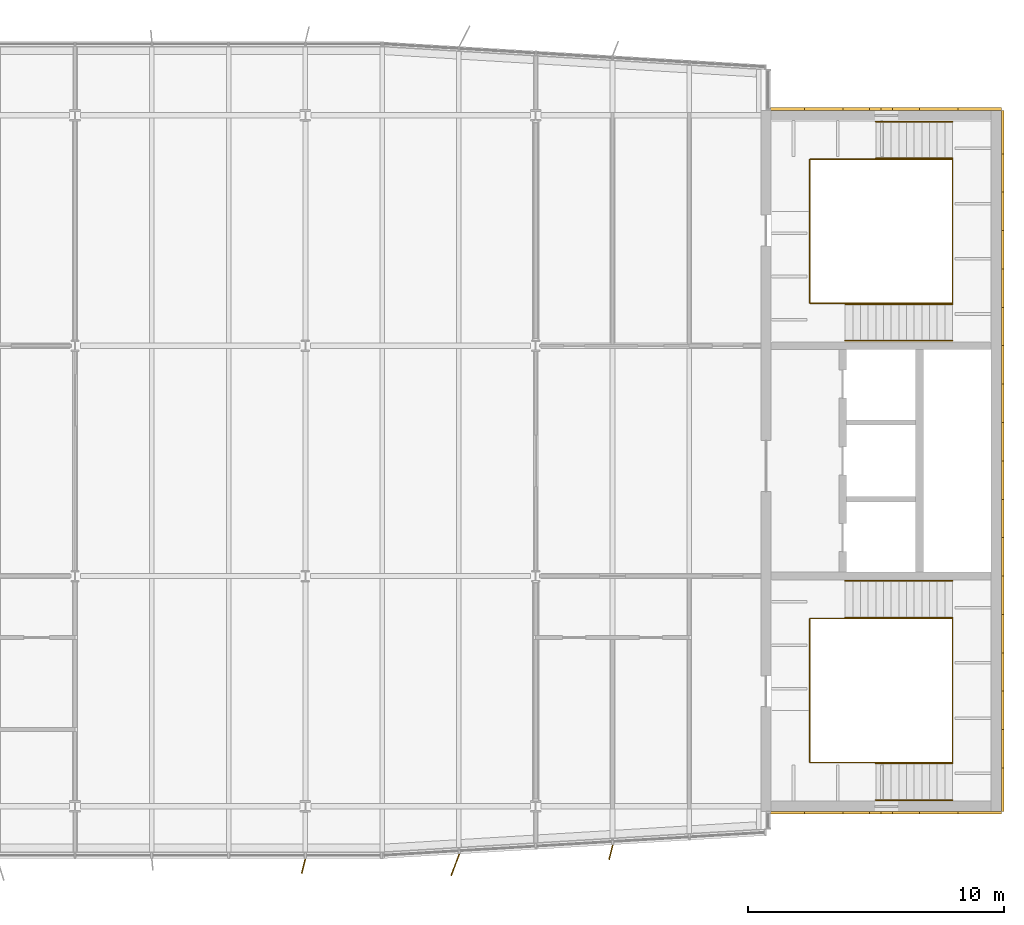
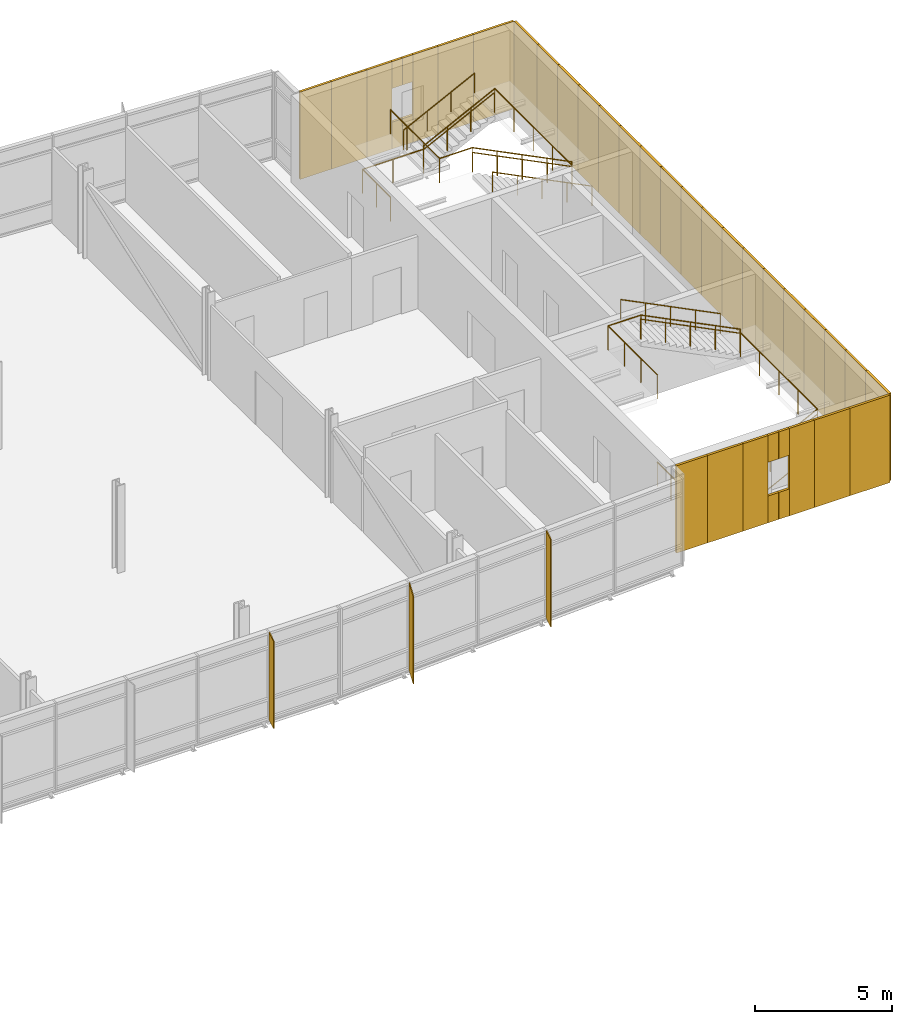
# One storey, part 19 of 20: 38 coverings, 10 railings, 3 shading devices.
"""IFC4 building model written with IfcOpenShell, lengths in metres."""

from ifc_helpers import new_model, si_unit, direction, frame, origin, origin_2d, place, context, subcontext, project, spatial, rectangle, circle, extrude, material, layer, layer_set, type_object, element, save


model = new_model("IFC4")

# Units and contexts
model_context = context("Model", 3, precision=1e-05, world=origin(), true_north=direction((0.0, 1.0)))
body_context = subcontext(model_context, "Body", "Model", "MODEL_VIEW")
ifc_project = project(units=[si_unit("LENGTHUNIT", "METRE"), si_unit("AREAUNIT", "SQUARE_METRE"), si_unit("VOLUMEUNIT", "CUBIC_METRE"), si_unit("PLANEANGLEUNIT", "RADIAN"), si_unit("MASSUNIT", "GRAM", prefix="KILO")], contexts=[model_context])

# Site, building, storey
site_placement = place(None, origin())
site = spatial("IfcSite", under=ifc_project, at=site_placement, CompositionType="ELEMENT")
building_placement = place(site_placement, origin())
building = spatial("IfcBuilding", under=site, at=building_placement, Name="Azimuth Sports and Learning Centre", CompositionType="ELEMENT")
storey_placement = place(building_placement, frame((0.0, 0.0, 44.10009765625)))
storey = spatial("IfcBuildingStorey", under=building, at=storey_placement, Name="L09", CompositionType="ELEMENT", Elevation=44.10009765625)

# Coverings
ifc_material_1 = material(Name="Cladding panel")
ifc_layer_1 = layer(ifc_material_1, 0.10009765625)
ifc_layer_set_1 = layer_set([ifc_layer_1], Name="Cladding panel")
covering_type = type_object("IfcCoveringType", Name="Cladding panel 100", PredefinedType="CLADDING", material=ifc_layer_set_1)
covering_1_placement = place(storey_placement, frame((108.840087890625, 89.75, 0.0), z_axis=(0.0, 0.0, 1.0), x_axis=(1.0, 0.0, 0.0)))
element("IfcCovering", 1, at=covering_1_placement, inside=storey, type_object=covering_type, Name="Cladding panel S-CORE E L09 1", PredefinedType="CLADDING", context=body_context, shape_type="SweptSolid", body=[
    extrude(rectangle(XDim=1.320068359375, YDim=0.10009765625, at=origin_2d()), origin(), (0.0, 0.0, 1.0), 3.89990234375),
])
covering_2_placement = place(storey_placement, frame((110.25, 89.75, 0.0), z_axis=(0.0, 0.0, 1.0), x_axis=(1.0, 0.0, 0.0)))
element("IfcCovering", 2, at=covering_2_placement, inside=storey, type_object=covering_type, Name="Cladding panel S-CORE E L09 2", PredefinedType="CLADDING", context=body_context, shape_type="SweptSolid", body=[
    extrude(rectangle(XDim=1.5, YDim=0.10009765625, at=origin_2d()), origin(), (0.0, 0.0, 1.0), 3.89990234375),
])
covering_3_placement = place(storey_placement, frame((111.52490234375, 89.75, 0.0), z_axis=(0.0, 0.0, 1.0), x_axis=(1.0, 0.0, 0.0)))
element("IfcCovering", 3, at=covering_3_placement, inside=storey, type_object=covering_type, Name="Cladding panel S-CORE E L09 3", PredefinedType="CLADDING", context=body_context, shape_type="SweptSolid", body=[
    extrude(rectangle(XDim=1.050048828125, YDim=0.10009765625, at=origin_2d()), origin(), (0.0, 0.0, 1.0), 3.89990234375),
])
for number, where, z_axis, x_axis, name in (
    (4, (112.27490234375, 89.75, 0.0), (0.0, 0.0, 1.0), (1.0, 0.0, 0.0), "Cladding panel S-CORE E L09 4"),
    (5, (112.27490234375, 89.75, 2.69970703125), (0.0, 0.0, 1.0), (1.0, 0.0, 0.0), "Cladding panel S-CORE E L09 5"),
):
    element("IfcCovering", number, at=place(storey_placement, frame(where, z_axis=z_axis, x_axis=x_axis)), inside=storey, type_object=covering_type, Name=name, PredefinedType="CLADDING", context=body_context, shape_type="SweptSolid", body=[
        extrude(rectangle(XDim=0.449951171875, YDim=0.10009765625, at=origin_2d()), origin(), (0.0, 0.0, 1.0), 1.199951171875),
    ])
covering_4_placement = place(storey_placement, frame((113.47509765625, 89.75, 0.0), z_axis=(0.0, 0.0, 1.0), x_axis=(1.0, 0.0, 0.0)))
element("IfcCovering", 6, at=covering_4_placement, inside=storey, type_object=covering_type, Name="Cladding panel S-CORE E L09 6", PredefinedType="CLADDING", context=body_context, shape_type="SweptSolid", body=[
    extrude(rectangle(XDim=1.050048828125, YDim=0.10009765625, at=origin_2d()), origin(), (0.0, 0.0, 1.0), 3.89990234375),
])
for number, where, z_axis, x_axis, name in (
    (7, (112.72509765625, 89.75, 0.0), (0.0, 0.0, 1.0), (1.0, 0.0, 0.0), "Cladding panel S-CORE E L09 7"),
    (8, (112.72509765625, 89.75, 2.69970703125), (0.0, 0.0, 1.0), (1.0, 0.0, 0.0), "Cladding panel S-CORE E L09 8"),
):
    element("IfcCovering", number, at=place(storey_placement, frame(where, z_axis=z_axis, x_axis=x_axis)), inside=storey, type_object=covering_type, Name=name, PredefinedType="CLADDING", context=body_context, shape_type="SweptSolid", body=[
        extrude(rectangle(XDim=0.449951171875, YDim=0.10009765625, at=origin_2d()), origin(), (0.0, 0.0, 1.0), 1.199951171875),
    ])
covering_5_placement = place(storey_placement, frame((114.75, 89.75, 0.0), z_axis=(0.0, 0.0, 1.0), x_axis=(1.0, 0.0, 0.0)))
element("IfcCovering", 9, at=covering_5_placement, inside=storey, type_object=covering_type, Name="Cladding panel S-CORE E L09 9", PredefinedType="CLADDING", context=body_context, shape_type="SweptSolid", body=[
    extrude(rectangle(XDim=1.5, YDim=0.10009765625, at=origin_2d()), origin(), (0.0, 0.0, 1.0), 3.89990234375),
])
for number, where, z_axis, x_axis, name in (
    (10, (116.35009765625, 89.75, 0.0), (0.0, 0.0, 1.0), (1.0, 0.0, 0.0), "Cladding panel S-CORE E L09 10"),
    (11, (117.25, 90.64990234375, 0.0), (0.0, 0.0, 1.0), (0.0, 1.0, 0.0), "Cladding panel E-CORE E L09 1"),
):
    element("IfcCovering", number, at=place(storey_placement, frame(where, z_axis=z_axis, x_axis=x_axis)), inside=storey, type_object=covering_type, Name=name, PredefinedType="CLADDING", context=body_context, shape_type="SweptSolid", body=[
        extrude(rectangle(XDim=1.699951171875, YDim=0.10009765625, at=origin_2d()), origin(), (0.0, 0.0, 1.0), 3.89990234375),
    ])
for number, where, z_axis, x_axis, name in (
    (12, (117.25, 92.25, 0.0), (0.0, 0.0, 1.0), (0.0, 1.0, 0.0), "Cladding panel E-CORE E L09 2"),
    (13, (117.25, 93.75, 0.0), (0.0, 0.0, 1.0), (0.0, 1.0, 0.0), "Cladding panel E-CORE E L09 3"),
    (14, (117.25, 95.25, 0.0), (0.0, 0.0, 1.0), (0.0, 1.0, 0.0), "Cladding panel E-CORE E L09 4"),
    (15, (117.25, 96.75, 0.0), (0.0, 0.0, 1.0), (0.0, 1.0, 0.0), "Cladding panel E-CORE E L09 5"),
    (16, (117.25, 98.25, 0.0), (0.0, 0.0, 1.0), (0.0, 1.0, 0.0), "Cladding panel E-CORE E L09 6"),
    (17, (117.25, 99.75, 0.0), (0.0, 0.0, 1.0), (0.0, 1.0, 0.0), "Cladding panel E-CORE E L09 7"),
    (18, (117.25, 101.25, 0.0), (0.0, 0.0, 1.0), (0.0, 1.0, 0.0), "Cladding panel E-CORE E L09 8"),
    (19, (117.25, 102.75, 0.0), (0.0, 0.0, 1.0), (0.0, 1.0, 0.0), "Cladding panel E-CORE E L09 9"),
    (20, (117.25, 104.25, 0.0), (0.0, 0.0, 1.0), (0.0, 1.0, 0.0), "Cladding panel E-CORE E L09 10"),
    (21, (117.25, 105.75, 0.0), (0.0, 0.0, 1.0), (0.0, 1.0, 0.0), "Cladding panel E-CORE E L09 11"),
    (22, (117.25, 107.25, 0.0), (0.0, 0.0, 1.0), (0.0, 1.0, 0.0), "Cladding panel E-CORE E L09 12"),
    (23, (117.25, 108.75, 0.0), (0.0, 0.0, 1.0), (0.0, 1.0, 0.0), "Cladding panel E-CORE E L09 13"),
    (24, (117.25, 110.25, 0.0), (0.0, 0.0, 1.0), (0.0, 1.0, 0.0), "Cladding panel E-CORE E L09 14"),
    (25, (117.25, 111.75, 0.0), (0.0, 0.0, 1.0), (0.0, 1.0, 0.0), "Cladding panel E-CORE E L09 15"),
    (26, (117.25, 113.25, 0.0), (0.0, 0.0, 1.0), (0.0, 1.0, 0.0), "Cladding panel E-CORE E L09 16"),
    (27, (117.25, 114.75, 0.0), (0.0, 0.0, 1.0), (0.0, 1.0, 0.0), "Cladding panel E-CORE E L09 17"),
):
    element("IfcCovering", number, at=place(storey_placement, frame(where, z_axis=z_axis, x_axis=x_axis)), inside=storey, type_object=covering_type, Name=name, PredefinedType="CLADDING", context=body_context, shape_type="SweptSolid", body=[
        extrude(rectangle(XDim=1.5, YDim=0.10009765625, at=origin_2d()), origin(), (0.0, 0.0, 1.0), 3.89990234375),
    ])
for number, where, z_axis, x_axis, name in (
    (28, (117.25, 116.35009765625, 0.0), (0.0, 0.0, 1.0), (0.0, 1.0, 0.0), "Cladding panel E-CORE E L09 18"),
    (29, (116.35009765625, 117.25, 0.0), (0.0, 0.0, 1.0), (-1.0, 0.0, 0.0), "Cladding panel N-CORE E L09 1"),
):
    element("IfcCovering", number, at=place(storey_placement, frame(where, z_axis=z_axis, x_axis=x_axis)), inside=storey, type_object=covering_type, Name=name, PredefinedType="CLADDING", context=body_context, shape_type="SweptSolid", body=[
        extrude(rectangle(XDim=1.699951171875, YDim=0.10009765625, at=origin_2d()), origin(), (0.0, 0.0, 1.0), 3.89990234375),
    ])
covering_6_placement = place(storey_placement, frame((114.75, 117.25, 0.0), z_axis=(0.0, 0.0, 1.0), x_axis=(-1.0, 0.0, 0.0)))
element("IfcCovering", 30, at=covering_6_placement, inside=storey, type_object=covering_type, Name="Cladding panel N-CORE E L09 2", PredefinedType="CLADDING", context=body_context, shape_type="SweptSolid", body=[
    extrude(rectangle(XDim=1.5, YDim=0.10009765625, at=origin_2d()), origin(), (0.0, 0.0, 1.0), 3.89990234375),
])
covering_7_placement = place(storey_placement, frame((113.47509765625, 117.25, 0.0), z_axis=(0.0, 0.0, 1.0), x_axis=(-1.0, 0.0, 0.0)))
element("IfcCovering", 31, at=covering_7_placement, inside=storey, type_object=covering_type, Name="Cladding panel N-CORE E L09 3", PredefinedType="CLADDING", context=body_context, shape_type="SweptSolid", body=[
    extrude(rectangle(XDim=1.050048828125, YDim=0.10009765625, at=origin_2d()), origin(), (0.0, 0.0, 1.0), 3.89990234375),
])
for number, where, z_axis, x_axis, name in (
    (32, (112.72509765625, 117.25, 0.0), (0.0, 0.0, 1.0), (-1.0, 0.0, 0.0), "Cladding panel N-CORE E L09 4"),
    (33, (112.72509765625, 117.25, 2.69970703125), (0.0, 0.0, 1.0), (-1.0, 0.0, 0.0), "Cladding panel N-CORE E L09 5"),
):
    element("IfcCovering", number, at=place(storey_placement, frame(where, z_axis=z_axis, x_axis=x_axis)), inside=storey, type_object=covering_type, Name=name, PredefinedType="CLADDING", context=body_context, shape_type="SweptSolid", body=[
        extrude(rectangle(XDim=0.449951171875, YDim=0.10009765625, at=origin_2d()), origin(), (0.0, 0.0, 1.0), 1.199951171875),
    ])
covering_8_placement = place(storey_placement, frame((111.52490234375, 117.25, 0.0), z_axis=(0.0, 0.0, 1.0), x_axis=(-1.0, 0.0, 0.0)))
element("IfcCovering", 34, at=covering_8_placement, inside=storey, type_object=covering_type, Name="Cladding panel N-CORE E L09 6", PredefinedType="CLADDING", context=body_context, shape_type="SweptSolid", body=[
    extrude(rectangle(XDim=1.050048828125, YDim=0.10009765625, at=origin_2d()), origin(), (0.0, 0.0, 1.0), 3.89990234375),
])
for number, where, z_axis, x_axis, name in (
    (35, (112.27490234375, 117.25, 0.0), (0.0, 0.0, 1.0), (-1.0, 0.0, 0.0), "Cladding panel N-CORE E L09 7"),
    (36, (112.27490234375, 117.25, 2.69970703125), (0.0, 0.0, 1.0), (-1.0, 0.0, 0.0), "Cladding panel N-CORE E L09 8"),
):
    element("IfcCovering", number, at=place(storey_placement, frame(where, z_axis=z_axis, x_axis=x_axis)), inside=storey, type_object=covering_type, Name=name, PredefinedType="CLADDING", context=body_context, shape_type="SweptSolid", body=[
        extrude(rectangle(XDim=0.449951171875, YDim=0.10009765625, at=origin_2d()), origin(), (0.0, 0.0, 1.0), 1.199951171875),
    ])
covering_9_placement = place(storey_placement, frame((110.25, 117.25, 0.0), z_axis=(0.0, 0.0, 1.0), x_axis=(-1.0, 0.0, 0.0)))
element("IfcCovering", 37, at=covering_9_placement, inside=storey, type_object=covering_type, Name="Cladding panel N-CORE E L09 9", PredefinedType="CLADDING", context=body_context, shape_type="SweptSolid", body=[
    extrude(rectangle(XDim=1.5, YDim=0.10009765625, at=origin_2d()), origin(), (0.0, 0.0, 1.0), 3.89990234375),
])
covering_10_placement = place(storey_placement, frame((108.840087890625, 117.25, 0.0), z_axis=(0.0, 0.0, 1.0), x_axis=(-1.0, 0.0, 0.0)))
element("IfcCovering", 38, at=covering_10_placement, inside=storey, type_object=covering_type, Name="Cladding panel N-CORE E L09 10", PredefinedType="CLADDING", context=body_context, shape_type="SweptSolid", body=[
    extrude(rectangle(XDim=1.320068359375, YDim=0.10009765625, at=origin_2d()), origin(), (0.0, 0.0, 1.0), 3.89990234375),
])

# Shading devices
ifc_material_2 = material(Name="Aluminium", Category="aluminium")
ifc_layer_2 = layer(ifc_material_2, 0.0400390625)
ifc_layer_set_2 = layer_set([ifc_layer_2], Name="Aluminium")
shading_device_type_1 = type_object("IfcShadingDeviceType", Name="Shading fin 600", PredefinedType="JALOUSIE", material=ifc_layer_set_2)
for number, where, z_axis, x_axis, name in (
    (39, (89.927001953125, 87.6689453125, 0.0), (0.0, 0.0, 1.0), (-0.243730896369, -0.969842899729, 0.0), "Shading fin F09-005"),
    (40, (101.939697265625, 88.2099609375, 0.0), (0.0, 0.0, 1.0), (-0.24872137434, -0.968575076051, 0.0), "Shading fin F09-007"),
):
    element("IfcShadingDevice", number, at=place(storey_placement, frame(where, z_axis=z_axis, x_axis=x_axis)), inside=storey, type_object=shading_device_type_1, Name=name, PredefinedType="JALOUSIE", context=body_context, shape_type="SweptSolid", body=[
        extrude(rectangle(XDim=0.60009765625, YDim=0.0400390625, at=origin_2d()), origin(), (0.0, 0.0, 1.0), 3.89990234375),
    ])
ifc_material_3 = material(Name="Aluminium", Category="aluminium")
ifc_layer_3 = layer(ifc_material_3, 0.0400390625)
ifc_layer_set_3 = layer_set([ifc_layer_3], Name="Aluminium")
shading_device_type_2 = type_object("IfcShadingDeviceType", Name="Shading fin 900", PredefinedType="JALOUSIE", material=ifc_layer_set_3)
shading_device_placement = place(storey_placement, frame((95.857177734375, 87.71875, 0.0), z_axis=(0.0, 0.0, 1.0), x_axis=(-0.349143100646, -0.937069418598, 0.0)))
element("IfcShadingDevice", 41, at=shading_device_placement, inside=storey, type_object=shading_device_type_2, Name="Shading fin F09-006", PredefinedType="JALOUSIE", context=body_context, shape_type="SweptSolid", body=[
    extrude(rectangle(XDim=0.89990234375, YDim=0.0400390625, at=origin_2d()), origin(), (0.0, 0.0, 1.0), 3.89990234375),
])

# Railings
ifc_material_4 = material(Name="Stainless steel", Category="steel")
railing_type_1 = type_object("IfcRailingType", Name="Stair guard 1100", PredefinedType="GUARDRAIL", material=ifc_material_4)
railing_1_placement = place(storey_placement, frame((109.7099609375, 93.75, 0.0)))
element("IfcRailing", 42, at=railing_1_placement, inside=storey, type_object=railing_type_1, Name="Guard E1 L09 well", PredefinedType="GUARDRAIL", context=body_context, shape_type="SweptSolid", body=[
    extrude(circle(Radius=0.02392578125, at=origin_2d()), frame((0.0, 0.0, 1.076171875), z_axis=(0.0, -1.0, 0.0), x_axis=(1.0, 0.0, 0.0)), (0.0, 0.0, 1.0), 2.0400390625),
    extrude(circle(Radius=0.02392578125, at=origin_2d()), frame((0.0, -2.0400390625, 1.076171875), z_axis=(1.0, 0.0, 0.0), x_axis=(0.0, 1.0, 0.0)), (0.0, 0.0, 1.0), 2.580078125),
    extrude(circle(Radius=0.02392578125, at=origin_2d()), frame((2.580078125, -2.0400390625, 1.076171875), z_axis=(0.0, 0.0, 1.0), x_axis=(1.0, 0.0, 0.0)), (0.0, 0.0, 1.0), 0.14990234375),
    extrude(circle(Radius=0.02392578125, at=origin_2d()), frame((2.580078125, -2.0400390625, 1.22607421875), z_axis=(0.894427191, 0.0, 0.4472135955), x_axis=(0.0, 1.0, 0.0)), (0.0, 0.0, 1.0), 3.35400390625),
    extrude(circle(Radius=0.02392578125, at=origin_2d()), frame((5.580078125, -2.0400390625, 2.72607421875), z_axis=(0.0, 1.0, 0.0), x_axis=(-1.0, 0.0, 0.0)), (0.0, 0.0, 1.0), 5.630126953125),
    extrude(circle(Radius=0.02392578125, at=origin_2d()), frame((5.580078125, 3.590087890625, 2.72607421875), z_axis=(0.0, 0.0, 1.0), x_axis=(1.0, 0.0, 0.0)), (0.0, 0.0, 1.0), 0.14990234375),
    extrude(circle(Radius=0.02392578125, at=origin_2d()), frame((5.580078125, 3.590087890625, 2.8759765625), z_axis=(-0.894416792377, 0.0, 0.447234392142), x_axis=(0.0, -1.0, 0.0)), (0.0, 0.0, 1.0), 4.69580078125),
    extrude(circle(Radius=0.02392578125, at=origin_2d()), frame((1.380126953125, 3.590087890625, 4.97607421875), z_axis=(-1.0, 0.0, 0.0), x_axis=(0.0, -1.0, 0.0)), (0.0, 0.0, 1.0), 1.380126953125),
    extrude(circle(Radius=0.02392578125, at=origin_2d()), frame((0.0, 3.590087890625, 4.97607421875), z_axis=(0.0, -1.0, 0.0), x_axis=(1.0, 0.0, 0.0)), (0.0, 0.0, 1.0), 3.590087890625),
    extrude(circle(Radius=0.01611328125, at=origin_2d()), origin(), (0.0, 0.0, 1.0), 1.052001953125),
    extrude(circle(Radius=0.01611328125, at=origin_2d()), frame((0.0, -1.02001953125, 0.0)), (0.0, 0.0, 1.0), 1.052001953125),
    extrude(circle(Radius=0.01611328125, at=origin_2d()), frame((0.0, -2.0400390625, 0.0)), (0.0, 0.0, 1.0), 1.052001953125),
    extrude(circle(Radius=0.01611328125, at=origin_2d()), frame((1.2900390625, -2.0400390625, 0.0)), (0.0, 0.0, 1.0), 1.052001953125),
    extrude(circle(Radius=0.01611328125, at=origin_2d()), frame((2.580078125, -2.0400390625, 0.0)), (0.0, 0.0, 1.0), 1.052001953125),
    extrude(circle(Radius=0.01611328125, at=origin_2d()), frame((2.580078125, -2.0400390625, 0.14990234375)), (0.0, 0.0, 1.0), 1.052001953125),
    extrude(circle(Radius=0.01611328125, at=origin_2d()), frame((3.580078125, -2.0400390625, 0.64990234375)), (0.0, 0.0, 1.0), 1.052001953125),
    extrude(circle(Radius=0.01611328125, at=origin_2d()), frame((4.580078125, -2.0400390625, 1.14990234375)), (0.0, 0.0, 1.0), 1.052001953125),
    extrude(circle(Radius=0.01611328125, at=origin_2d()), frame((5.580078125, -2.0400390625, 1.64990234375)), (0.0, 0.0, 1.0), 1.052001953125),
    extrude(circle(Radius=0.01611328125, at=origin_2d()), frame((5.580078125, -0.632568359375, 1.64990234375)), (0.0, 0.0, 1.0), 1.052001953125),
    extrude(circle(Radius=0.01611328125, at=origin_2d()), frame((5.580078125, 0.77490234375, 1.64990234375)), (0.0, 0.0, 1.0), 1.052001953125),
    extrude(circle(Radius=0.01611328125, at=origin_2d()), frame((5.580078125, 2.1826171875, 1.64990234375)), (0.0, 0.0, 1.0), 1.052001953125),
    extrude(circle(Radius=0.01611328125, at=origin_2d()), frame((5.580078125, 3.590087890625, 1.64990234375)), (0.0, 0.0, 1.0), 1.052001953125),
    extrude(circle(Radius=0.01611328125, at=origin_2d()), frame((5.580078125, 3.590087890625, 1.7998046875)), (0.0, 0.0, 1.0), 1.052001953125),
    extrude(circle(Radius=0.01611328125, at=origin_2d()), frame((4.530029296875, 3.590087890625, 2.32470703125)), (0.0, 0.0, 1.0), 1.052001953125),
    extrude(circle(Radius=0.01611328125, at=origin_2d()), frame((3.47998046875, 3.590087890625, 2.849853515625)), (0.0, 0.0, 1.0), 1.052001953125),
    extrude(circle(Radius=0.01611328125, at=origin_2d()), frame((2.43017578125, 3.590087890625, 3.375)), (0.0, 0.0, 1.0), 1.052001953125),
    extrude(circle(Radius=0.01611328125, at=origin_2d()), frame((1.380126953125, 3.590087890625, 3.89990234375)), (0.0, 0.0, 1.0), 1.052001953125),
    extrude(circle(Radius=0.01611328125, at=origin_2d()), frame((0.0, 3.590087890625, 3.89990234375)), (0.0, 0.0, 1.0), 1.052001953125),
    extrude(circle(Radius=0.01611328125, at=origin_2d()), frame((0.0, 2.393310546875, 3.89990234375)), (0.0, 0.0, 1.0), 1.052001953125),
    extrude(circle(Radius=0.01611328125, at=origin_2d()), frame((0.0, 1.19677734375, 3.89990234375)), (0.0, 0.0, 1.0), 1.052001953125),
    extrude(circle(Radius=0.01611328125, at=origin_2d()), frame((0.0, 0.0, 3.89990234375)), (0.0, 0.0, 1.0), 1.052001953125),
])
railing_2_placement = place(storey_placement, frame((109.7099609375, 113.25, 0.0)))
element("IfcRailing", 43, at=railing_2_placement, inside=storey, type_object=railing_type_1, Name="Guard E2 L09 well", PredefinedType="GUARDRAIL", context=body_context, shape_type="SweptSolid", body=[
    extrude(circle(Radius=0.02392578125, at=origin_2d()), frame((0.0, 0.0, 1.076171875), z_axis=(0.0, 1.0, 0.0), x_axis=(-1.0, 0.0, 0.0)), (0.0, 0.0, 1.0), 2.0400390625),
    extrude(circle(Radius=0.02392578125, at=origin_2d()), frame((0.0, 2.0400390625, 1.076171875), z_axis=(1.0, 0.0, 0.0), x_axis=(0.0, 1.0, 0.0)), (0.0, 0.0, 1.0), 2.580078125),
    extrude(circle(Radius=0.02392578125, at=origin_2d()), frame((2.580078125, 2.0400390625, 1.076171875), z_axis=(0.0, 0.0, 1.0), x_axis=(1.0, 0.0, 0.0)), (0.0, 0.0, 1.0), 0.14990234375),
    extrude(circle(Radius=0.02392578125, at=origin_2d()), frame((2.580078125, 2.0400390625, 1.22607421875), z_axis=(0.894427191, 0.0, 0.4472135955), x_axis=(0.0, 1.0, 0.0)), (0.0, 0.0, 1.0), 3.35400390625),
    extrude(circle(Radius=0.02392578125, at=origin_2d()), frame((5.580078125, 2.0400390625, 2.72607421875), z_axis=(0.0, -1.0, 0.0), x_axis=(1.0, 0.0, 0.0)), (0.0, 0.0, 1.0), 5.630126953125),
    extrude(circle(Radius=0.02392578125, at=origin_2d()), frame((5.580078125, -3.590087890625, 2.72607421875), z_axis=(0.0, 0.0, 1.0), x_axis=(1.0, 0.0, 0.0)), (0.0, 0.0, 1.0), 0.14990234375),
    extrude(circle(Radius=0.02392578125, at=origin_2d()), frame((5.580078125, -3.590087890625, 2.8759765625), z_axis=(-0.894416792377, 0.0, 0.447234392142), x_axis=(0.0, -1.0, 0.0)), (0.0, 0.0, 1.0), 4.69580078125),
    extrude(circle(Radius=0.02392578125, at=origin_2d()), frame((1.380126953125, -3.590087890625, 4.97607421875), z_axis=(-1.0, 0.0, 0.0), x_axis=(0.0, -1.0, 0.0)), (0.0, 0.0, 1.0), 1.380126953125),
    extrude(circle(Radius=0.02392578125, at=origin_2d()), frame((0.0, -3.590087890625, 4.97607421875), z_axis=(0.0, 1.0, 0.0), x_axis=(-1.0, 0.0, 0.0)), (0.0, 0.0, 1.0), 3.590087890625),
    extrude(circle(Radius=0.01611328125, at=origin_2d()), origin(), (0.0, 0.0, 1.0), 1.052001953125),
    extrude(circle(Radius=0.01611328125, at=origin_2d()), frame((0.0, 1.02001953125, 0.0)), (0.0, 0.0, 1.0), 1.052001953125),
    extrude(circle(Radius=0.01611328125, at=origin_2d()), frame((0.0, 2.0400390625, 0.0)), (0.0, 0.0, 1.0), 1.052001953125),
    extrude(circle(Radius=0.01611328125, at=origin_2d()), frame((1.2900390625, 2.0400390625, 0.0)), (0.0, 0.0, 1.0), 1.052001953125),
    extrude(circle(Radius=0.01611328125, at=origin_2d()), frame((2.580078125, 2.0400390625, 0.0)), (0.0, 0.0, 1.0), 1.052001953125),
    extrude(circle(Radius=0.01611328125, at=origin_2d()), frame((2.580078125, 2.0400390625, 0.14990234375)), (0.0, 0.0, 1.0), 1.052001953125),
    extrude(circle(Radius=0.01611328125, at=origin_2d()), frame((3.580078125, 2.0400390625, 0.64990234375)), (0.0, 0.0, 1.0), 1.052001953125),
    extrude(circle(Radius=0.01611328125, at=origin_2d()), frame((4.580078125, 2.0400390625, 1.14990234375)), (0.0, 0.0, 1.0), 1.052001953125),
    extrude(circle(Radius=0.01611328125, at=origin_2d()), frame((5.580078125, 2.0400390625, 1.64990234375)), (0.0, 0.0, 1.0), 1.052001953125),
    extrude(circle(Radius=0.01611328125, at=origin_2d()), frame((5.580078125, 0.632568359375, 1.64990234375)), (0.0, 0.0, 1.0), 1.052001953125),
    extrude(circle(Radius=0.01611328125, at=origin_2d()), frame((5.580078125, -0.77490234375, 1.64990234375)), (0.0, 0.0, 1.0), 1.052001953125),
    extrude(circle(Radius=0.01611328125, at=origin_2d()), frame((5.580078125, -2.1826171875, 1.64990234375)), (0.0, 0.0, 1.0), 1.052001953125),
    extrude(circle(Radius=0.01611328125, at=origin_2d()), frame((5.580078125, -3.590087890625, 1.64990234375)), (0.0, 0.0, 1.0), 1.052001953125),
    extrude(circle(Radius=0.01611328125, at=origin_2d()), frame((5.580078125, -3.590087890625, 1.7998046875)), (0.0, 0.0, 1.0), 1.052001953125),
    extrude(circle(Radius=0.01611328125, at=origin_2d()), frame((4.530029296875, -3.590087890625, 2.32470703125)), (0.0, 0.0, 1.0), 1.052001953125),
    extrude(circle(Radius=0.01611328125, at=origin_2d()), frame((3.47998046875, -3.590087890625, 2.849853515625)), (0.0, 0.0, 1.0), 1.052001953125),
    extrude(circle(Radius=0.01611328125, at=origin_2d()), frame((2.43017578125, -3.590087890625, 3.375)), (0.0, 0.0, 1.0), 1.052001953125),
    extrude(circle(Radius=0.01611328125, at=origin_2d()), frame((1.380126953125, -3.590087890625, 3.89990234375)), (0.0, 0.0, 1.0), 1.052001953125),
    extrude(circle(Radius=0.01611328125, at=origin_2d()), frame((0.0, -3.590087890625, 3.89990234375)), (0.0, 0.0, 1.0), 1.052001953125),
    extrude(circle(Radius=0.01611328125, at=origin_2d()), frame((0.0, -2.393310546875, 3.89990234375)), (0.0, 0.0, 1.0), 1.052001953125),
    extrude(circle(Radius=0.01611328125, at=origin_2d()), frame((0.0, -1.19677734375, 3.89990234375)), (0.0, 0.0, 1.0), 1.052001953125),
    extrude(circle(Radius=0.01611328125, at=origin_2d()), frame((0.0, 0.0, 3.89990234375)), (0.0, 0.0, 1.0), 1.052001953125),
])
ifc_material_5 = material(Name="Stainless steel", Category="steel")
railing_type_2 = type_object("IfcRailingType", Name="Stair handrail 42", PredefinedType="HANDRAIL", material=ifc_material_5)
for number, where, name in (
    (44, (112.2900390625, 91.679931640625, 0.14990234375), "Handrail E1 L09 flight 1 inner"),
    (45, (112.2900390625, 90.239990234375, 0.14990234375), "Handrail E1 L09 flight 1 outer"),
):
    element("IfcRailing", number, at=place(storey_placement, frame(where)), inside=storey, type_object=railing_type_2, Name=name, PredefinedType="HANDRAIL", context=body_context, shape_type="SweptSolid", body=[
        extrude(circle(Radius=0.02099609375, at=origin_2d()), frame((0.0, 0.0, 0.87890625), z_axis=(0.894427191, 0.0, 0.4472135955), x_axis=(0.0, 1.0, 0.0)), (0.0, 0.0, 1.0), 3.35400390625),
        extrude(circle(Radius=0.01611328125, at=origin_2d()), origin(), (0.0, 0.0, 1.0), 0.85791015625),
        extrude(circle(Radius=0.01611328125, at=origin_2d()), frame((1.0, 0.0, 0.5)), (0.0, 0.0, 1.0), 0.85791015625),
        extrude(circle(Radius=0.01611328125, at=origin_2d()), frame((2.0, 0.0, 1.0)), (0.0, 0.0, 1.0), 0.85791015625),
        extrude(circle(Radius=0.01611328125, at=origin_2d()), frame((3.0, 0.0, 1.5)), (0.0, 0.0, 1.0), 0.85791015625),
    ])
for number, where, name in (
    (46, (115.2900390625, 97.3701171875, 1.7998046875), "Handrail E1 L09 flight 2 inner"),
    (47, (115.2900390625, 98.81005859375, 1.7998046875), "Handrail E1 L09 flight 2 outer"),
):
    element("IfcRailing", number, at=place(storey_placement, frame(where)), inside=storey, type_object=railing_type_2, Name=name, PredefinedType="HANDRAIL", context=body_context, shape_type="SweptSolid", body=[
        extrude(circle(Radius=0.02099609375, at=origin_2d()), frame((0.0, 0.0, 0.87890625), z_axis=(-0.894416792377, 0.0, 0.447234392142), x_axis=(0.0, -1.0, 0.0)), (0.0, 0.0, 1.0), 4.69580078125),
        extrude(circle(Radius=0.01611328125, at=origin_2d()), origin(), (0.0, 0.0, 1.0), 0.85791015625),
        extrude(circle(Radius=0.01611328125, at=origin_2d()), frame((-1.050048828125, 0.0, 0.52490234375)), (0.0, 0.0, 1.0), 0.85791015625),
        extrude(circle(Radius=0.01611328125, at=origin_2d()), frame((-2.10009765625, 0.0, 1.050048828125)), (0.0, 0.0, 1.0), 0.85791015625),
        extrude(circle(Radius=0.01611328125, at=origin_2d()), frame((-3.14990234375, 0.0, 1.5751953125)), (0.0, 0.0, 1.0), 0.85791015625),
        extrude(circle(Radius=0.01611328125, at=origin_2d()), frame((-4.199951171875, 0.0, 2.10009765625)), (0.0, 0.0, 1.0), 0.85791015625),
    ])
for number, where, name in (
    (48, (112.2900390625, 115.320068359375, 0.14990234375), "Handrail E2 L09 flight 1 inner"),
    (49, (112.2900390625, 116.760009765625, 0.14990234375), "Handrail E2 L09 flight 1 outer"),
):
    element("IfcRailing", number, at=place(storey_placement, frame(where)), inside=storey, type_object=railing_type_2, Name=name, PredefinedType="HANDRAIL", context=body_context, shape_type="SweptSolid", body=[
        extrude(circle(Radius=0.02099609375, at=origin_2d()), frame((0.0, 0.0, 0.87890625), z_axis=(0.894427191, 0.0, 0.4472135955), x_axis=(0.0, 1.0, 0.0)), (0.0, 0.0, 1.0), 3.35400390625),
        extrude(circle(Radius=0.01611328125, at=origin_2d()), origin(), (0.0, 0.0, 1.0), 0.85791015625),
        extrude(circle(Radius=0.01611328125, at=origin_2d()), frame((1.0, 0.0, 0.5)), (0.0, 0.0, 1.0), 0.85791015625),
        extrude(circle(Radius=0.01611328125, at=origin_2d()), frame((2.0, 0.0, 1.0)), (0.0, 0.0, 1.0), 0.85791015625),
        extrude(circle(Radius=0.01611328125, at=origin_2d()), frame((3.0, 0.0, 1.5)), (0.0, 0.0, 1.0), 0.85791015625),
    ])
for number, where, name in (
    (50, (115.2900390625, 109.6298828125, 1.7998046875), "Handrail E2 L09 flight 2 inner"),
    (51, (115.2900390625, 108.18994140625, 1.7998046875), "Handrail E2 L09 flight 2 outer"),
):
    element("IfcRailing", number, at=place(storey_placement, frame(where)), inside=storey, type_object=railing_type_2, Name=name, PredefinedType="HANDRAIL", context=body_context, shape_type="SweptSolid", body=[
        extrude(circle(Radius=0.02099609375, at=origin_2d()), frame((0.0, 0.0, 0.87890625), z_axis=(-0.894416792377, 0.0, 0.447234392142), x_axis=(0.0, -1.0, 0.0)), (0.0, 0.0, 1.0), 4.69580078125),
        extrude(circle(Radius=0.01611328125, at=origin_2d()), origin(), (0.0, 0.0, 1.0), 0.85791015625),
        extrude(circle(Radius=0.01611328125, at=origin_2d()), frame((-1.050048828125, 0.0, 0.52490234375)), (0.0, 0.0, 1.0), 0.85791015625),
        extrude(circle(Radius=0.01611328125, at=origin_2d()), frame((-2.10009765625, 0.0, 1.050048828125)), (0.0, 0.0, 1.0), 0.85791015625),
        extrude(circle(Radius=0.01611328125, at=origin_2d()), frame((-3.14990234375, 0.0, 1.5751953125)), (0.0, 0.0, 1.0), 0.85791015625),
        extrude(circle(Radius=0.01611328125, at=origin_2d()), frame((-4.199951171875, 0.0, 2.10009765625)), (0.0, 0.0, 1.0), 0.85791015625),
    ])

save(model, "model.ifc")
